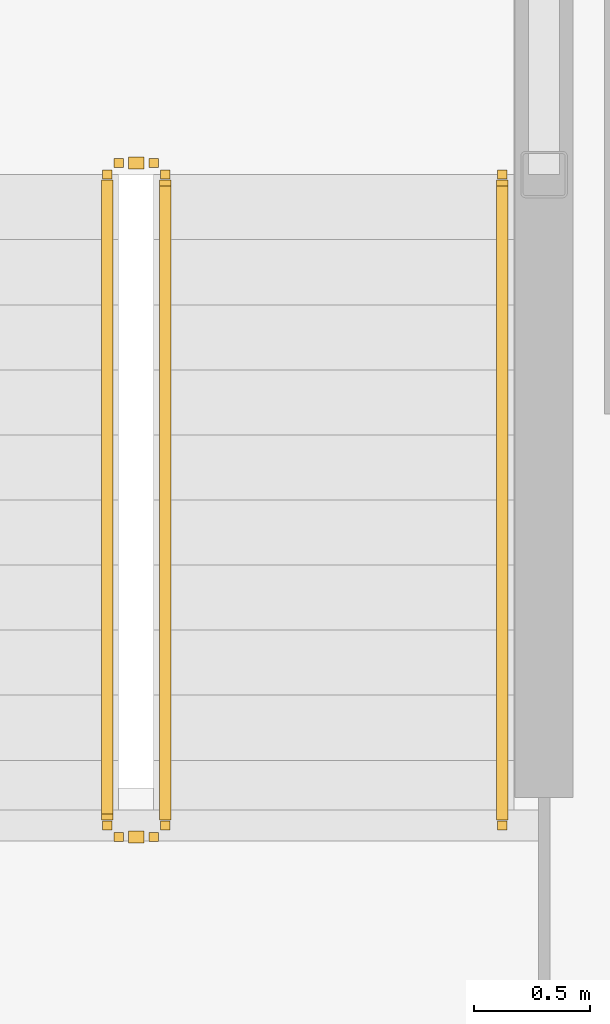
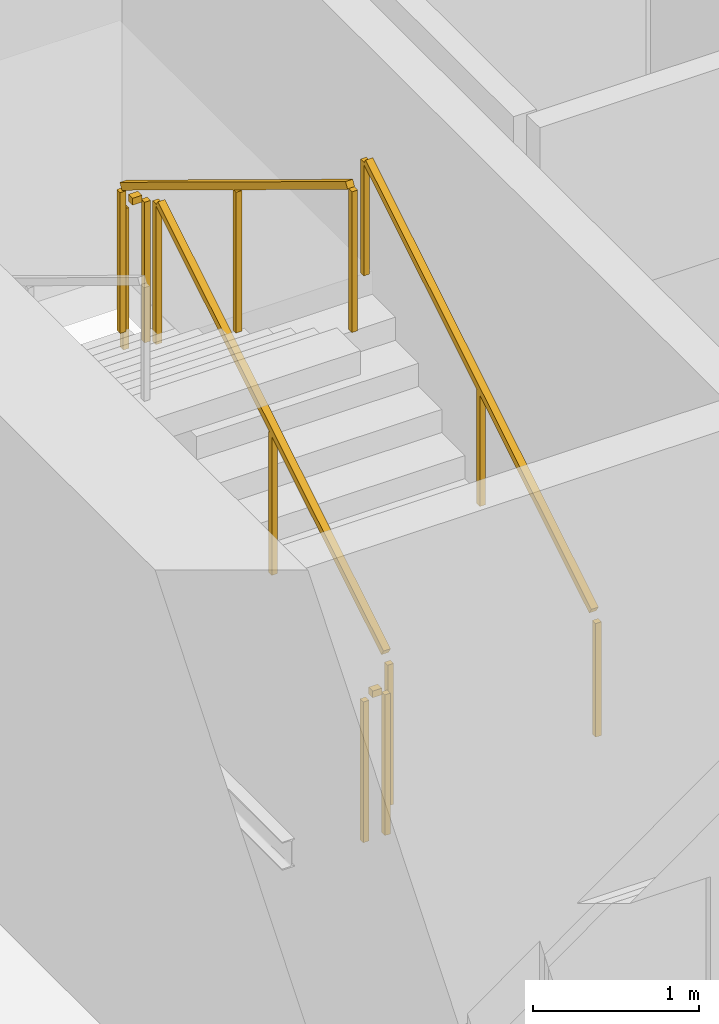
# One storey, part 18 of 23: 5 railings.
"""IFC4 building model written with IfcOpenShell, lengths in metres."""

import ifcopenshell
import ifcopenshell.guid

model = None  # the IFC model being written
_history = None  # IfcOwnerHistory: only IFC2X3 demands one
_inside = {}  # id of a spatial element -> (the spatial element, [elements in it])
_under = {}  # id of a project, library or spatial element -> (it, [spatial elements below it])
_declared = {}  # id of a project -> (the project, [libraries it declares])
_typed = {}  # id of a type object -> (the type object, [elements of that type])
_made_of = {}  # id of a material, layer set ... -> (it, [elements and type objects made of it])


def new_model(schema):
    """Start an empty IFC model of exactly this schema.

    Asked for "IFC4X3", IfcOpenShell would pick the latest addendum, in which some entities
    have other attributes; the version numbers below select the first issue.
    IFC2X3 requires an IfcOwnerHistory on every rooted entity: one is made here for all.
    """
    global model, _history
    if schema == "IFC4X3":
        model = ifcopenshell.file(schema_version=(4, 3, 0, 0))
    else:
        model = ifcopenshell.file(schema=schema)
    _inside.clear()
    _under.clear()
    _declared.clear()
    _typed.clear()
    _made_of.clear()
    _history = None
    if model.schema == "IFC2X3":
        org = make("IfcOrganization", Name="unknown")
        user = make(
            "IfcPersonAndOrganization",
            ThePerson=make("IfcPerson", FamilyName="unknown"),
            TheOrganization=org,
        )
        app = make(
            "IfcApplication",
            ApplicationDeveloper=org,
            Version="unknown",
            ApplicationFullName="unknown",
            ApplicationIdentifier="unknown",
        )
        _history = make(
            "IfcOwnerHistory",
            OwningUser=user,
            OwningApplication=app,
            ChangeAction="ADDED",
            CreationDate=0,
        )
    return model


def make(cls, **values):
    """One entity of the class cls with the attributes given. An attribute that is None is left unset."""
    return model.create_entity(
        cls, **{name: value for name, value in values.items() if value is not None}
    )


def rooted(cls, **values):
    """An entity with a GlobalId (a new one), such as an element, a storey or a relation."""
    return make(cls, GlobalId=ifcopenshell.guid.new(), OwnerHistory=_history, **values)


def si_unit(unit_type, name, prefix=None):
    """IfcSIUnit, for example si_unit("LENGTHUNIT", "METRE", prefix="MILLI")."""
    return make("IfcSIUnit", UnitType=unit_type, Prefix=prefix, Name=name)


def assignment(units):
    """IfcUnitAssignment: the units of a project."""
    return None if units is None else make("IfcUnitAssignment", Units=units)


def point(xyz):
    """IfcCartesianPoint."""
    return None if xyz is None else make("IfcCartesianPoint", Coordinates=xyz)


def direction(xyz):
    """IfcDirection."""
    return None if xyz is None else make("IfcDirection", DirectionRatios=xyz)


def frame(location, z_axis=None, x_axis=None):
    """IfcAxis2Placement3D, a coordinate frame: its origin and axes. An axis left out is left unset."""
    return make(
        "IfcAxis2Placement3D",
        Location=point(location),
        Axis=direction(z_axis),
        RefDirection=direction(x_axis),
    )


def frame_2d(location, x_axis=None):
    """IfcAxis2Placement2D, a coordinate frame in the plane: its origin and x axis."""
    return make(
        "IfcAxis2Placement2D", Location=point(location), RefDirection=direction(x_axis)
    )


def origin():
    """The frame at (0, 0, 0) with its axes left unset."""
    return frame((0.0, 0.0, 0.0))


def origin_2d():
    """The frame at (0, 0) in the plane with its x axis left unset."""
    return frame_2d((0.0, 0.0))


def place(relative_to, where):
    """IfcLocalPlacement: puts the frame where relative to a parent placement (None: the world)."""
    return make(
        "IfcLocalPlacement", PlacementRelTo=relative_to, RelativePlacement=where
    )


def context(
    kind, dimensions, precision=None, world=None, true_north=None, identifier=None
):
    """IfcGeometricRepresentationContext, for example the 3D "Model" context."""
    return make(
        "IfcGeometricRepresentationContext",
        ContextIdentifier=identifier,
        ContextType=kind,
        CoordinateSpaceDimension=dimensions,
        Precision=precision,
        WorldCoordinateSystem=world,
        TrueNorth=true_north,
    )


def subcontext(parent, identifier, kind, view, scale=None):
    """IfcGeometricRepresentationSubContext, for example "Body" below "Model"."""
    return make(
        "IfcGeometricRepresentationSubContext",
        ContextIdentifier=identifier,
        ContextType=kind,
        ParentContext=parent,
        TargetScale=scale,
        TargetView=view,
    )


def project(units=None, contexts=None):
    """IfcProject with its units and contexts."""
    return rooted(
        "IfcProject",
        Name="project",
        RepresentationContexts=contexts,
        UnitsInContext=assignment(units),
    )


def spatial(cls, under=None, at=None, **own):
    """A site, building, storey or space (cls), placed at a placement, below another one or the project."""
    s = rooted(cls, ObjectPlacement=at, **own)
    if under is not None:
        _under.setdefault(under.id(), (under, []))[1].append(s)
    return s


def profile(cls, at=None, kind="AREA", **sizes):
    """A parametric profile (cls). Its sizes go by their IFC names, for example OverallWidth=200.0."""
    return make(cls, ProfileType=kind, Position=at, **sizes)


def rectangle(**sizes):
    """IfcRectangleProfileDef."""
    return profile("IfcRectangleProfileDef", **sizes)


def extrude(swept, where, along, depth):
    """IfcExtrudedAreaSolid: the profile swept, set in the frame where, extruded along a direction by depth."""
    return make(
        "IfcExtrudedAreaSolid",
        SweptArea=swept,
        Position=where,
        ExtrudedDirection=direction(along),
        Depth=depth,
    )


def shape(context_of_items, identifier, shape_type, items):
    """IfcShapeRepresentation: the items that make up one representation, for example the "Body"."""
    return make(
        "IfcShapeRepresentation",
        ContextOfItems=context_of_items,
        RepresentationIdentifier=identifier,
        RepresentationType=shape_type,
        Items=items,
    )


def material(Name=None, Category=None):
    """IfcMaterial."""
    return make("IfcMaterial", Name=Name, Category=Category)


def made_of(thing, what):
    """Note that an element or type object is made of a material, layer set ...; save() writes the relation."""
    if what is not None:
        _made_of.setdefault(what.id(), (what, []))[1].append(thing)
    return thing


def type_object(cls, material=None, **own):
    """A type object (cls), such as IfcWallType, which elements share."""
    return made_of(rooted(cls, **own), material)


def element(
    cls,
    number,
    at=None,
    inside=None,
    cuts=None,
    type_object=None,
    material=None,
    context=None,
    identifier="Body",
    shape_type=None,
    held_by="IfcProductDefinitionShape",
    body=None,
    shapes=None,
    **own,
):
    """One element of the class cls, such as IfcWall. Its Tag is "e" and its number.

    at: its placement. inside: the storey or other place that contains it. cuts: it is an
    opening in that element (IfcRelVoidsElement). A single representation is given by context,
    identifier, shape_type and body (its items); several are given by shapes. held_by: the class
    of the entity that holds the representations. save() writes the other relations.
    """
    e = rooted(cls, Tag="e%d" % number, ObjectPlacement=at, **own)
    if body is not None:
        shapes = [shape(context, identifier, shape_type, body)]
    if shapes is not None:
        e.Representation = make(held_by, Representations=shapes)
    if inside is not None:
        _inside.setdefault(inside.id(), (inside, []))[1].append(e)
    if cuts is not None:
        rooted(
            "IfcRelVoidsElement", RelatingBuildingElement=cuts, RelatedOpeningElement=e
        )
    if type_object is not None:
        _typed.setdefault(type_object.id(), (type_object, []))[1].append(e)
    return made_of(e, material)


def aggregate(whole, parts):
    """IfcRelAggregates: a whole, such as a stair, and the parts it consists of."""
    return rooted("IfcRelAggregates", RelatingObject=whole, RelatedObjects=parts)


def save(model, path):
    """Write the relations noted so far, then the file.

    IfcRelAggregates (storeys below a building ...), IfcRelContainedInSpatialStructure (elements
    in a storey), IfcRelDefinesByType, IfcRelAssociatesMaterial and IfcRelDeclares: one each for
    every whole, place, type object, material and project.
    """
    for whole, parts in _under.values():
        aggregate(whole, parts)
    for where, things in _inside.values():
        rooted(
            "IfcRelContainedInSpatialStructure",
            RelatedElements=things,
            RelatingStructure=where,
        )
    for kind, things in _typed.values():
        rooted("IfcRelDefinesByType", RelatedObjects=things, RelatingType=kind)
    for what, things in _made_of.values():
        rooted("IfcRelAssociatesMaterial", RelatedObjects=things, RelatingMaterial=what)
    for by, libraries in _declared.values():
        rooted("IfcRelDeclares", RelatingContext=by, RelatedDefinitions=libraries)
    model.write(path)


model = new_model("IFC4")

# Units and contexts
model_context = context("Model", 3, precision=1e-05, world=origin(), true_north=direction((0.0, 1.0)))
body_context = subcontext(model_context, "Body", "Model", "MODEL_VIEW")
ifc_project = project(units=[si_unit("LENGTHUNIT", "METRE"), si_unit("AREAUNIT", "SQUARE_METRE"), si_unit("VOLUMEUNIT", "CUBIC_METRE"), si_unit("PLANEANGLEUNIT", "RADIAN"), si_unit("MASSUNIT", "GRAM", prefix="KILO")], contexts=[model_context])

# Site, building, storey
site_placement = place(None, origin())
site = spatial("IfcSite", under=ifc_project, at=site_placement, CompositionType="ELEMENT")
building_placement = place(site_placement, origin())
building = spatial("IfcBuilding", under=site, at=building_placement, Name="Kazma Halo Residences", CompositionType="ELEMENT")
storey_placement = place(building_placement, frame((0.0, 0.0, 101.39990234375)))
storey = spatial("IfcBuildingStorey", under=building, at=storey_placement, Name="L25", CompositionType="ELEMENT", Elevation=101.39990234375)

# Railings
ifc_material_1 = material(Name="Painted Steel S355", Category="steel")
railing_type_1 = type_object("IfcRailingType", Name="RLG-STAIR-GRD-1100", PredefinedType="GUARDRAIL", material=ifc_material_1)
railing_1_placement = place(storey_placement, frame((39.550048828125, 39.949951171875, 0.170654296875)))
element("IfcRailing", 1, at=railing_1_placement, inside=storey, type_object=railing_type_1, Name="L25 ST-01 stair guard 1", PredefinedType="GUARDRAIL", context=body_context, shape_type="SweptSolid", body=[
    extrude(rectangle(XDim=0.050048828125, YDim=0.050048828125, at=origin_2d()), frame((0.0, 0.036376953125, 1.09716796875), z_axis=(0.0, 0.854202870247, 0.519939858505), x_axis=(-1.0, 0.0, 0.0)), (0.0, 0.0, 1.0), 3.19287109375),
    extrude(rectangle(XDim=0.0400390625, YDim=0.0400390625, at=origin_2d()), origin(), (0.0, 0.0, 1.0), 1.0380859375),
    extrude(rectangle(XDim=0.0400390625, YDim=0.0400390625, at=origin_2d()), frame((0.0, 1.39990234375, 0.85205078125)), (0.0, 0.0, 1.0), 1.0380859375),
    extrude(rectangle(XDim=0.0400390625, YDim=0.0400390625, at=origin_2d()), frame((0.0, 2.800048828125, 1.704345703125)), (0.0, 0.0, 1.0), 1.0380859375),
])
railing_2_placement = place(storey_placement, frame((39.5, 42.800048828125, 1.875)))
element("IfcRailing", 2, at=railing_2_placement, inside=storey, type_object=railing_type_1, Name="L25 ST-01 stair guard 2", PredefinedType="GUARDRAIL", context=body_context, shape_type="SweptSolid", body=[
    extrude(rectangle(XDim=0.050048828125, YDim=0.050048828125, at=origin_2d()), frame((-0.04248046875, 0.0, 1.0751953125), z_axis=(-1.0, 0.0, 0.0), x_axis=(0.0, -1.0, 0.0)), (0.0, 0.0, 1.0), 0.06494140625),
    extrude(rectangle(XDim=0.0400390625, YDim=0.0400390625, at=origin_2d()), origin(), (0.0, 0.0, 1.0), 1.0380859375),
    extrude(rectangle(XDim=0.0400390625, YDim=0.0400390625, at=origin_2d()), frame((-0.14990234375, 0.0, 0.0)), (0.0, 0.0, 1.0), 1.0380859375),
])
railing_3_placement = place(storey_placement, frame((39.300048828125, 42.75, 2.045654296875)))
element("IfcRailing", 3, at=railing_3_placement, inside=storey, type_object=railing_type_1, Name="L25 ST-01 stair guard 3", PredefinedType="GUARDRAIL", context=body_context, shape_type="SweptSolid", body=[
    extrude(rectangle(XDim=0.050048828125, YDim=0.050048828125, at=origin_2d()), frame((0.0, -0.036376953125, 1.09716796875), z_axis=(0.0, -0.854202870247, 0.519939858505), x_axis=(1.0, 0.0, 0.0)), (0.0, 0.0, 1.0), 3.19287109375),
    extrude(rectangle(XDim=0.0400390625, YDim=0.0400390625, at=origin_2d()), origin(), (0.0, 0.0, 1.0), 1.0380859375),
    extrude(rectangle(XDim=0.0400390625, YDim=0.0400390625, at=origin_2d()), frame((0.0, -1.39990234375, 0.85205078125)), (0.0, 0.0, 1.0), 1.0380859375),
    extrude(rectangle(XDim=0.0400390625, YDim=0.0400390625, at=origin_2d()), frame((0.0, -2.800048828125, 1.704345703125)), (0.0, 0.0, 1.0), 1.0380859375),
])
railing_4_placement = place(storey_placement, frame((39.5, 39.89990234375, 0.0)))
element("IfcRailing", 4, at=railing_4_placement, inside=storey, type_object=railing_type_1, Name="L25 ST-01 stair guard 4", PredefinedType="GUARDRAIL", context=body_context, shape_type="SweptSolid", body=[
    extrude(rectangle(XDim=0.050048828125, YDim=0.050048828125, at=origin_2d()), frame((-0.04248046875, 0.0, 1.0751953125), z_axis=(-1.0, 0.0, 0.0), x_axis=(0.0, -1.0, 0.0)), (0.0, 0.0, 1.0), 0.06494140625),
    extrude(rectangle(XDim=0.0400390625, YDim=0.0400390625, at=origin_2d()), origin(), (0.0, 0.0, 1.0), 1.0380859375),
    extrude(rectangle(XDim=0.0400390625, YDim=0.0400390625, at=origin_2d()), frame((-0.14990234375, 0.0, 0.0)), (0.0, 0.0, 1.0), 1.0380859375),
])
ifc_material_2 = material(Name="Brushed Stainless Steel", Category="steel")
railing_type_2 = type_object("IfcRailingType", Name="RLG-STAIR-HND-900", PredefinedType="HANDRAIL", material=ifc_material_2)
railing_5_placement = place(storey_placement, frame((41.0, 39.949951171875, 0.170654296875)))
element("IfcRailing", 5, at=railing_5_placement, inside=storey, type_object=railing_type_2, Name="L25 ST-01 stair handrail 1", PredefinedType="HANDRAIL", context=body_context, shape_type="SweptSolid", body=[
    extrude(rectangle(XDim=0.050048828125, YDim=0.050048828125, at=origin_2d()), frame((0.0, 0.036376953125, 0.89697265625), z_axis=(0.0, 0.854202870247, 0.519939858505), x_axis=(-1.0, 0.0, 0.0)), (0.0, 0.0, 1.0), 3.19287109375),
    extrude(rectangle(XDim=0.0400390625, YDim=0.0400390625, at=origin_2d()), origin(), (0.0, 0.0, 1.0), 0.837890625),
    extrude(rectangle(XDim=0.0400390625, YDim=0.0400390625, at=origin_2d()), frame((0.0, 1.39990234375, 0.85205078125)), (0.0, 0.0, 1.0), 0.837890625),
    extrude(rectangle(XDim=0.0400390625, YDim=0.0400390625, at=origin_2d()), frame((0.0, 2.800048828125, 1.704345703125)), (0.0, 0.0, 1.0), 0.837890625),
])

save(model, "model.ifc")
